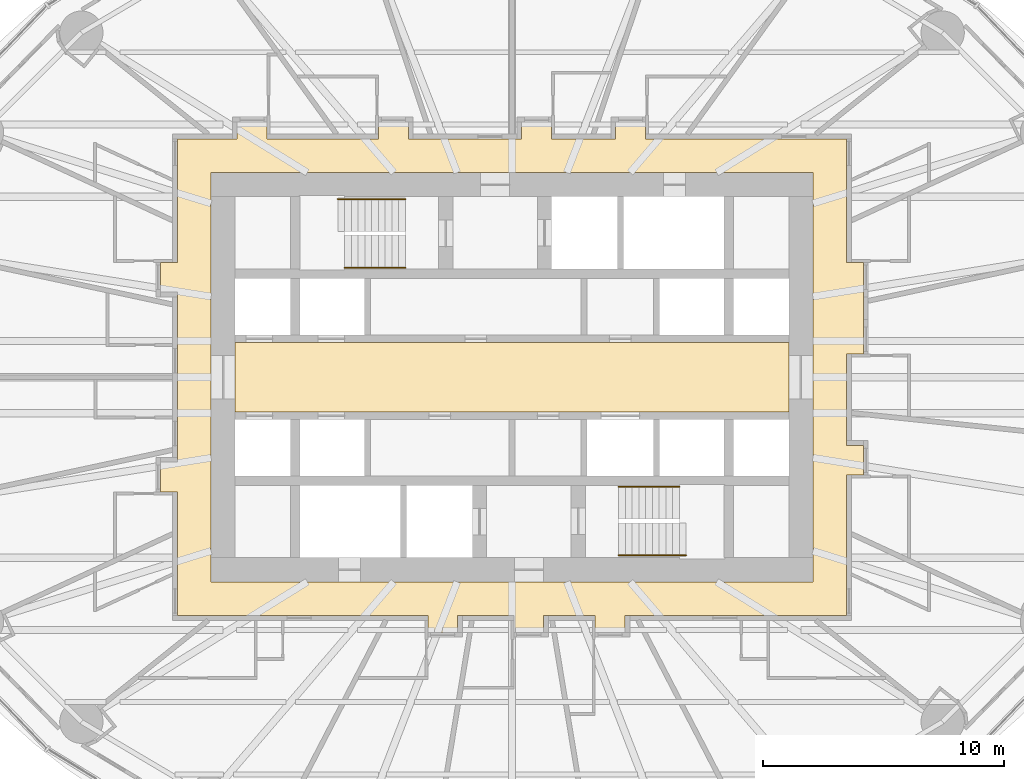
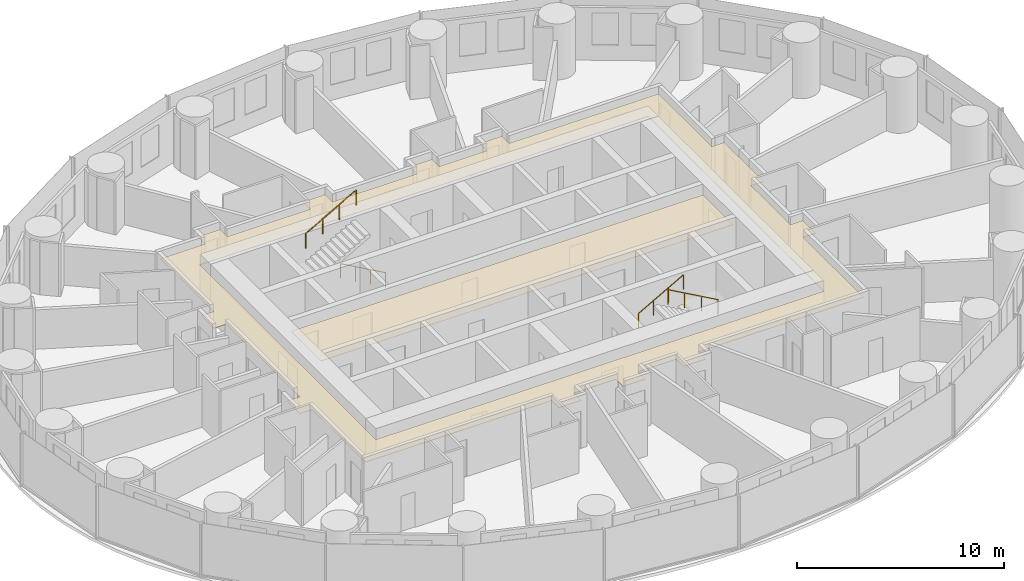
# One storey, part 14 of 14: 4 railings, 2 coverings.
"""IFC4 building model written with IfcOpenShell, lengths in metres."""

from ifc_helpers import new_model, si_unit, direction, frame, origin, origin_2d, place, context, subcontext, project, spatial, polyline, circle, outline, extrude, material, layer, layer_set, type_object, element, save


model = new_model("IFC4")

# Units and contexts
model_context = context("Model", 3, precision=1e-05, world=origin(), true_north=direction((0.0, 1.0)))
body_context = subcontext(model_context, "Body", "Model", "MODEL_VIEW")
ifc_project = project(units=[si_unit("LENGTHUNIT", "METRE"), si_unit("AREAUNIT", "SQUARE_METRE"), si_unit("VOLUMEUNIT", "CUBIC_METRE"), si_unit("PLANEANGLEUNIT", "RADIAN"), si_unit("MASSUNIT", "GRAM", prefix="KILO")], contexts=[model_context])

# Site, building, storey
site_placement = place(None, origin())
site = spatial("IfcSite", under=ifc_project, at=site_placement, CompositionType="ELEMENT")
building_placement = place(site_placement, origin())
building = spatial("IfcBuilding", under=site, at=building_placement, Name="Hankou Lantern Tower", CompositionType="ELEMENT")
storey_placement = place(building_placement, frame((0.0, 0.0, 32.699951171875)))
storey = spatial("IfcBuildingStorey", under=building, at=storey_placement, Name="L06", CompositionType="ELEMENT", Elevation=32.699951171875)

# Coverings
ifc_material_1 = material(Name="Black painted aluminium linear ceiling panels", Category="aluminium")
ifc_layer_1 = layer(ifc_material_1, 0.02490234375)
ifc_layer_set_1 = layer_set([ifc_layer_1], Name="Black painted aluminium linear ceiling panels")
covering_type_1 = type_object("IfcCoveringType", Name="CL1 CORRIDOR CEILING 25", PredefinedType="CEILING", material=ifc_layer_set_1)
covering_1_placement = place(storey_placement, frame((0.0, 0.0, 2.64501953125)))
element("IfcCovering", 1, at=covering_1_placement, inside=storey, type_object=covering_type_1, Name="Corridor ceiling L06", PredefinedType="CEILING", context=body_context, shape_type="SweptSolid", body=[
    extrude(outline(polyline([(-3.49853515625, -10.60009765625), (-2.258544921875, -10.60009765625), (-2.258544921875, -9.89990234375), (0.074951171875, -9.89990234375), (0.074951171875, -10.60009765625), (1.31494140625, -10.60009765625), (1.31494140625, -9.89990234375), (3.455078125, -9.89990234375), (3.455078125, -10.60009765625), (4.695068359375, -10.60009765625), (4.695068359375, -9.89990234375), (13.89990234375, -9.89990234375), (13.89990234375, -4.072509765625), (14.60009765625, -4.072509765625), (14.60009765625, -2.83251953125), (13.89990234375, -2.83251953125), (13.89990234375, 0.9580078125), (14.60009765625, 0.9580078125), (14.60009765625, 4.7724609375), (13.89990234375, 4.7724609375), (13.89990234375, 9.89990234375), (5.549072265625, 9.89990234375), (5.549072265625, 10.60009765625), (4.30908203125, 10.60009765625), (4.30908203125, 9.89990234375), (1.642822265625, 9.89990234375), (1.642822265625, 10.60009765625), (0.40283203125, 10.60009765625), (0.40283203125, 9.89990234375), (-4.30908203125, 9.89990234375), (-4.30908203125, 10.60009765625), (-5.549072265625, 10.60009765625), (-5.549072265625, 9.89990234375), (-10.178955078125, 9.89990234375), (-10.178955078125, 10.60009765625), (-11.4189453125, 10.60009765625), (-11.4189453125, 9.89990234375), (-13.89990234375, 9.89990234375), (-13.89990234375, 4.7724609375), (-14.60009765625, 4.7724609375), (-14.60009765625, 3.532470703125), (-13.89990234375, 3.532470703125), (-13.89990234375, -3.532470703125), (-14.60009765625, -3.532470703125), (-14.60009765625, -4.7724609375), (-13.89990234375, -4.7724609375), (-13.89990234375, -9.89990234375), (-3.49853515625, -9.89990234375), (-3.49853515625, -10.60009765625)]), holes=[polyline([(-12.5, 8.5), (12.5, 8.5), (12.5, -8.5), (-12.5, -8.5), (-12.5, 8.5)])]), origin(), (0.0, 0.0, 1.0), 0.025146484375),
])
ifc_material_2 = material(Name="Perforated black aluminium acoustic tray ceiling", Category="aluminium")
ifc_layer_2 = layer(ifc_material_2, 0.014892578125)
ifc_layer_set_2 = layer_set([ifc_layer_2], Name="Perforated black aluminium acoustic tray ceiling")
covering_type_2 = type_object("IfcCoveringType", Name="CL2 LIFT LOBBY CEILING 15", PredefinedType="CEILING", material=ifc_layer_set_2)
covering_2_placement = place(storey_placement, frame((0.0, 0.0, 2.655029296875)))
element("IfcCovering", 2, at=covering_2_placement, inside=storey, type_object=covering_type_2, Name="Lift lobby ceiling L06", PredefinedType="CEILING", context=body_context, shape_type="SweptSolid", body=[
    extrude(outline(polyline([(-11.5, -1.449951171875), (11.5, -1.449951171875), (11.5, 1.449951171875), (-11.5, 1.449951171875), (-11.5, -1.449951171875)])), origin(), (0.0, 0.0, 1.0), 0.01513671875),
])

# Railings
ifc_material_3 = material(Name="Steel handrail", Category="steel")
railing_type = type_object("IfcRailingType", Name="HR1 STAIR HANDRAIL", PredefinedType="HANDRAIL", material=ifc_material_3)
railing_1_placement = place(storey_placement, frame((-4.429931640625, 4.550048828125, 0.900146484375)))
element("IfcRailing", 3, at=railing_1_placement, inside=storey, type_object=railing_type, Name="Handrail stair STA L06 flight 1", PredefinedType="HANDRAIL", context=body_context, shape_type="SweptSolid", body=[
    extrude(circle(Radius=0.02392578125, at=origin_2d()), frame((0.0, 0.0, 0.8759765625), z_axis=(-0.872048945198, 0.0, 0.489418672692), x_axis=(0.0, -1.0, 0.0)), (0.0, 0.0, 1.0), 2.8896484375),
    extrude(circle(Radius=0.02099609375, at=origin_2d()), origin(), (0.0, 0.0, 1.0), 0.851806640625),
    extrude(circle(Radius=0.02099609375, at=origin_2d()), frame((-0.840087890625, 0.0, 0.471435546875)), (0.0, 0.0, 1.0), 0.851806640625),
    extrude(circle(Radius=0.02099609375, at=origin_2d()), frame((-1.679931640625, 0.0, 0.94287109375)), (0.0, 0.0, 1.0), 0.851806640625),
    extrude(circle(Radius=0.02099609375, at=origin_2d()), frame((-2.52001953125, 0.0, 1.414306640625)), (0.0, 0.0, 1.0), 0.851806640625),
])
railing_2_placement = place(storey_placement, frame((-7.22998046875, 7.39990234375, 2.471435546875)))
element("IfcRailing", 4, at=railing_2_placement, inside=storey, type_object=railing_type, Name="Handrail stair STA L06 flight 2", PredefinedType="HANDRAIL", context=body_context, shape_type="SweptSolid", body=[
    extrude(circle(Radius=0.02392578125, at=origin_2d()), frame((0.0, 0.0, 0.8759765625), z_axis=(0.872040151574, 0.0, 0.489434340891), x_axis=(0.0, 1.0, 0.0)), (0.0, 0.0, 1.0), 3.2109375),
    extrude(circle(Radius=0.02099609375, at=origin_2d()), origin(), (0.0, 0.0, 1.0), 0.851806640625),
    extrude(circle(Radius=0.02099609375, at=origin_2d()), frame((0.933349609375, 0.0, 0.52392578125)), (0.0, 0.0, 1.0), 0.851806640625),
    extrude(circle(Radius=0.02099609375, at=origin_2d()), frame((1.86669921875, 0.0, 1.047607421875)), (0.0, 0.0, 1.0), 0.851806640625),
    extrude(circle(Radius=0.02099609375, at=origin_2d()), frame((2.800048828125, 0.0, 1.571533203125)), (0.0, 0.0, 1.0), 0.851806640625),
])
railing_3_placement = place(storey_placement, frame((4.429931640625, -4.550048828125, 0.900146484375)))
element("IfcRailing", 5, at=railing_3_placement, inside=storey, type_object=railing_type, Name="Handrail stair STB L06 flight 1", PredefinedType="HANDRAIL", context=body_context, shape_type="SweptSolid", body=[
    extrude(circle(Radius=0.02392578125, at=origin_2d()), frame((0.0, 0.0, 0.8759765625), z_axis=(0.872048945198, 0.0, 0.489418672692), x_axis=(0.0, 1.0, 0.0)), (0.0, 0.0, 1.0), 2.8896484375),
    extrude(circle(Radius=0.02099609375, at=origin_2d()), origin(), (0.0, 0.0, 1.0), 0.851806640625),
    extrude(circle(Radius=0.02099609375, at=origin_2d()), frame((0.840087890625, 0.0, 0.471435546875)), (0.0, 0.0, 1.0), 0.851806640625),
    extrude(circle(Radius=0.02099609375, at=origin_2d()), frame((1.679931640625, 0.0, 0.94287109375)), (0.0, 0.0, 1.0), 0.851806640625),
    extrude(circle(Radius=0.02099609375, at=origin_2d()), frame((2.52001953125, 0.0, 1.414306640625)), (0.0, 0.0, 1.0), 0.851806640625),
])
railing_4_placement = place(storey_placement, frame((7.22998046875, -7.39990234375, 2.471435546875)))
element("IfcRailing", 6, at=railing_4_placement, inside=storey, type_object=railing_type, Name="Handrail stair STB L06 flight 2", PredefinedType="HANDRAIL", context=body_context, shape_type="SweptSolid", body=[
    extrude(circle(Radius=0.02392578125, at=origin_2d()), frame((0.0, 0.0, 0.8759765625), z_axis=(-0.872040151574, 0.0, 0.489434340891), x_axis=(0.0, -1.0, 0.0)), (0.0, 0.0, 1.0), 3.2109375),
    extrude(circle(Radius=0.02099609375, at=origin_2d()), origin(), (0.0, 0.0, 1.0), 0.851806640625),
    extrude(circle(Radius=0.02099609375, at=origin_2d()), frame((-0.933349609375, 0.0, 0.52392578125)), (0.0, 0.0, 1.0), 0.851806640625),
    extrude(circle(Radius=0.02099609375, at=origin_2d()), frame((-1.86669921875, 0.0, 1.047607421875)), (0.0, 0.0, 1.0), 0.851806640625),
    extrude(circle(Radius=0.02099609375, at=origin_2d()), frame((-2.800048828125, 0.0, 1.571533203125)), (0.0, 0.0, 1.0), 0.851806640625),
])

save(model, "model.ifc")
